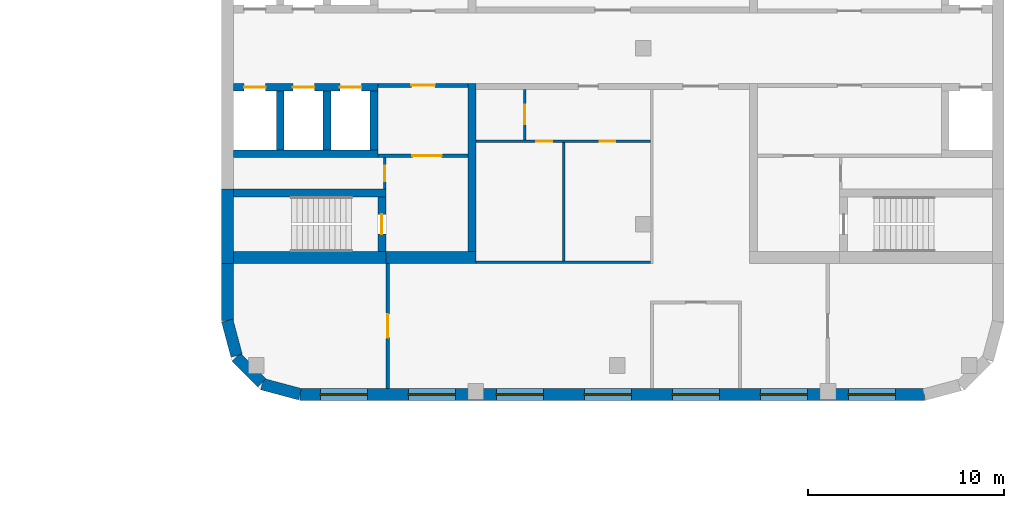
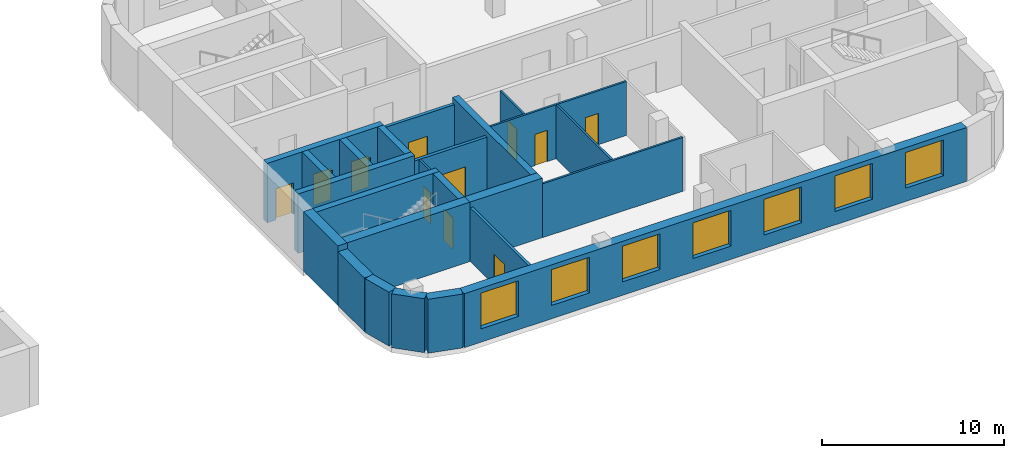
# One storey, part 7 of 12: 24 walls, 11 doors, 7 windows, 18 openings.
"""IFC4 building model written with IfcOpenShell, lengths in metres."""

from ifc_helpers import new_model, si_unit, direction, frame, frame_2d, origin, place, context, subcontext, project, spatial, rectangle, extrude, material, layer, layer_set, type_object, element, fill, save


model = new_model("IFC4")

# Units and contexts
model_context = context("Model", 3, precision=1e-05, world=origin(), true_north=direction((0.0, 1.0)))
body_context = subcontext(model_context, "Body", "Model", "MODEL_VIEW")
ifc_project = project(units=[si_unit("LENGTHUNIT", "METRE"), si_unit("AREAUNIT", "SQUARE_METRE"), si_unit("VOLUMEUNIT", "CUBIC_METRE"), si_unit("PLANEANGLEUNIT", "RADIAN"), si_unit("MASSUNIT", "GRAM", prefix="KILO")], contexts=[model_context])

# Site, building, storey
site_placement = place(None, origin())
site = spatial("IfcSite", under=ifc_project, at=site_placement, CompositionType="ELEMENT")
building_placement = place(site_placement, origin())
building = spatial("IfcBuilding", under=site, at=building_placement, Name="Skarvind Civic Tower", CompositionType="ELEMENT")
storey_placement = place(building_placement, frame((0.0, 0.0, 51.5)))
storey = spatial("IfcBuildingStorey", under=building, at=storey_placement, Name="L11", CompositionType="ELEMENT", Elevation=51.5)

# Wall, opening, door
ifc_material_1 = material(Name="Acoustic gypsum board on steel studs", Category="steel")
ifc_layer_1 = layer(ifc_material_1, 0.175048828125)
ifc_layer_set_1 = layer_set([ifc_layer_1], Name="ACOUSTIC MEETING-ROOM PARTITION 175")
wall_type_1 = type_object("IfcWallType", Name="ACOUSTIC MEETING-ROOM PARTITION 175", PredefinedType="PARTITIONING", material=ifc_layer_set_1)
wall_1_placement = place(storey_placement, frame((135.5, 117.0, 0.0), z_axis=(0.0, 0.0, 1.0), x_axis=(0.0, -1.0, 0.0)))
wall_1 = element("IfcWall", 1, at=wall_1_placement, inside=storey, type_object=wall_type_1, Name="Partition 11.001", PredefinedType="PARTITIONING", context=body_context, shape_type="SweptSolid", body=[
    extrude(rectangle(XDim=6.39990234375, YDim=0.175048828125, at=frame_2d((3.199951171875, 0.0))), origin(), (0.0, 0.0, 1.0), 3.625),
])
opening_1_placement = place(wall_1_placement, frame((2.60009765625, 0.0, 0.0)))
opening_1 = element("IfcOpeningElement", 2, at=opening_1_placement, cuts=wall_1, Name="Opening L11-D111", PredefinedType="OPENING", context=body_context, shape_type="SweptSolid", body=[
    extrude(rectangle(XDim=1.199951171875, YDim=2.10009765625, at=frame_2d((0.60009765625, 1.050048828125))), frame((0.0, 0.097412109375, 0.0), z_axis=(0.0, -1.0, 0.0), x_axis=(1.0, 0.0, 0.0)), (0.0, 0.0, 1.0), 0.195068359375),
])
ifc_material_2 = material(Name="Timber door leaf", Category="wood")
door_type_1 = type_object("IfcDoorType", Name="DOOR 1200X2100 DOUBLE TIMBER", OperationType="NOTDEFINED", PredefinedType="DOOR", material=ifc_material_2)
door_1_placement = place(opening_1_placement, origin())
door_1 = element("IfcDoor", 3, at=door_1_placement, inside=storey, type_object=door_type_1, Name="Door L11-D111", OperationType="DOUBLE_DOOR_SINGLE_SWING", OverallHeight=2.10009765625, OverallWidth=1.199951171875, PredefinedType="DOOR", context=body_context, shape_type="SweptSolid", body=[
    extrude(rectangle(XDim=1.199951171875, YDim=2.10009765625, at=frame_2d((0.60009765625, 1.050048828125))), frame((0.0, 0.02490234375, 0.0), z_axis=(0.0, -1.0, 0.0), x_axis=(1.0, 0.0, 0.0)), (0.0, 0.0, 1.0), 0.050048828125),
])
fill(opening_1, door_1)

ifc_material_3 = material(Name="Fire-rated masonry partition", Category="masonry")
ifc_layer_2 = layer(ifc_material_3, 0.199951171875)
ifc_layer_set_2 = layer_set([ifc_layer_2], Name="Core enclosure wall 200")
wall_type_2 = type_object("IfcWallType", Name="Core enclosure wall 200", PredefinedType="PARTITIONING", material=ifc_layer_set_2)
wall_2_placement = place(storey_placement, frame((139.60009765625, 126.10009765625, 0.0), z_axis=(0.0, 0.0, 1.0), x_axis=(-1.0, 0.0, 0.0)))
wall_2 = element("IfcWall", 4, at=wall_2_placement, inside=storey, type_object=wall_type_2, Name="Core wall CA", PredefinedType="PARTITIONING", context=body_context, shape_type="SweptSolid", body=[
    extrude(rectangle(XDim=4.60009765625, YDim=0.199951171875, at=frame_2d((2.300048828125, 0.0))), origin(), (0.0, 0.0, 1.0), 3.625),
])
opening_2_placement = place(wall_2_placement, frame((1.699951171875, 0.0, 0.0)))
opening_2 = element("IfcOpeningElement", 5, at=opening_2_placement, cuts=wall_2, Name="Opening D-L11-CA-10", PredefinedType="OPENING", context=body_context, shape_type="SweptSolid", body=[
    extrude(rectangle(XDim=1.199951171875, YDim=2.10009765625, at=frame_2d((0.60009765625, 1.050048828125))), frame((0.0, 0.10986328125, 0.0), z_axis=(0.0, -1.0, 0.0), x_axis=(1.0, 0.0, 0.0)), (0.0, 0.0, 1.0), 0.219970703125),
])
ifc_material_4 = material(Name="Fire-rated steel door", Category="steel")
door_type_2 = type_object("IfcDoorType", Name="Core lobby door 1200", OperationType="NOTDEFINED", PredefinedType="DOOR", material=ifc_material_4)
door_2_placement = place(opening_2_placement, origin())
door_2 = element("IfcDoor", 6, at=door_2_placement, inside=storey, type_object=door_type_2, Name="Fire door", OperationType="DOUBLE_DOOR_SINGLE_SWING", OverallHeight=2.10009765625, OverallWidth=1.199951171875, PredefinedType="DOOR", context=body_context, shape_type="SweptSolid", body=[
    extrude(rectangle(XDim=1.199951171875, YDim=2.10009765625, at=frame_2d((0.60009765625, 1.050048828125))), frame((0.0, 0.02490234375, 0.0), z_axis=(0.0, -1.0, 0.0), x_axis=(1.0, 0.0, 0.0)), (0.0, 0.0, 1.0), 0.050048828125),
])
fill(opening_2, door_2)

wall_3_placement = place(storey_placement, frame((139.60009765625, 122.5, 0.0), z_axis=(0.0, 0.0, 1.0), x_axis=(-1.0, 0.0, 0.0)))
wall_3 = element("IfcWall", 7, at=wall_3_placement, inside=storey, type_object=wall_type_2, Name="Core wall CA", PredefinedType="PARTITIONING", context=body_context, shape_type="SweptSolid", body=[
    extrude(rectangle(XDim=4.60009765625, YDim=0.199951171875, at=frame_2d((2.300048828125, 0.0))), origin(), (0.0, 0.0, 1.0), 3.625),
])
opening_3_placement = place(wall_3_placement, frame((1.35009765625, 0.0, 0.0)))
opening_3 = element("IfcOpeningElement", 8, at=opening_3_placement, cuts=wall_3, Name="Opening D-L11-CA-11", PredefinedType="OPENING", context=body_context, shape_type="SweptSolid", body=[
    extrude(rectangle(XDim=1.5, YDim=2.10009765625, at=frame_2d((0.75, 1.050048828125))), frame((0.0, 0.10986328125, 0.0), z_axis=(0.0, -1.0, 0.0), x_axis=(1.0, 0.0, 0.0)), (0.0, 0.0, 1.0), 0.219970703125),
])
door_type_3 = type_object("IfcDoorType", Name="Fire door 1500", OperationType="NOTDEFINED", PredefinedType="DOOR", material=ifc_material_4)
door_3_placement = place(opening_3_placement, origin())
door_3 = element("IfcDoor", 9, at=door_3_placement, inside=storey, type_object=door_type_3, Name="Fire door", OperationType="DOUBLE_DOOR_SINGLE_SWING", OverallHeight=2.10009765625, OverallWidth=1.5, PredefinedType="DOOR", context=body_context, shape_type="SweptSolid", body=[
    extrude(rectangle(XDim=1.5, YDim=2.10009765625, at=frame_2d((0.75, 1.050048828125))), frame((0.0, 0.02490234375, 0.0), z_axis=(0.0, -1.0, 0.0), x_axis=(1.0, 0.0, 0.0)), (0.0, 0.0, 1.0), 0.050048828125),
])
fill(opening_3, door_3)

# Wall
ifc_material_5 = material(Name="Concrete C80", Category="concrete")
ifc_layer_3 = layer(ifc_material_5, 0.39990234375)
ifc_layer_set_3 = layer_set([ifc_layer_3], Name="Core wall 400 C80")
wall_type_3 = type_object("IfcWallType", Name="Core wall 400 C80", PredefinedType="SHEAR", material=ifc_layer_set_3)
wall_4_placement = place(storey_placement, frame((127.60009765625, 120.60009765625, 0.0), z_axis=(0.0, 0.0, 1.0), x_axis=(1.0, 0.0, 0.0)))
element("IfcWall", 10, at=wall_4_placement, inside=storey, type_object=wall_type_3, Name="Core wall CA south stair inner L11", PredefinedType="SHEAR", context=body_context, shape_type="SweptSolid", body=[
    extrude(rectangle(XDim=7.7998046875, YDim=0.39990234375, at=frame_2d((3.89990234375, 0.0))), origin(), (0.0, 0.0, 1.0), 4.0),
])

# Wall, opening, door
wall_5_placement = place(storey_placement, frame((135.199951171875, 117.60009765625, 0.0), z_axis=(0.0, 0.0, 1.0), x_axis=(0.0, 1.0, 0.0)))
wall_5 = element("IfcWall", 11, at=wall_5_placement, inside=storey, type_object=wall_type_3, Name="Core wall CA south stair end L11", PredefinedType="SHEAR", context=body_context, shape_type="SweptSolid", body=[
    extrude(rectangle(XDim=2.7998046875, YDim=0.39990234375, at=frame_2d((1.39990234375, 0.0))), origin(), (0.0, 0.0, 1.0), 4.0),
])
opening_4_placement = place(wall_5_placement, frame((0.89990234375, 0.0, 0.0)))
opening_4 = element("IfcOpeningElement", 12, at=opening_4_placement, cuts=wall_5, Name="Opening D-L11-CA-12", PredefinedType="OPENING", context=body_context, shape_type="SweptSolid", body=[
    extrude(rectangle(XDim=1.0, YDim=2.10009765625, at=frame_2d((0.5, 1.050048828125))), frame((0.0, 0.2099609375, 0.0), z_axis=(0.0, -1.0, 0.0), x_axis=(1.0, 0.0, 0.0)), (0.0, 0.0, 1.0), 0.419921875),
])
door_type_4 = type_object("IfcDoorType", Name="Fire door 1000", OperationType="NOTDEFINED", PredefinedType="DOOR", material=ifc_material_4)
door_4_placement = place(opening_4_placement, origin())
door_4 = element("IfcDoor", 13, at=door_4_placement, inside=storey, type_object=door_type_4, Name="Fire door", OperationType="SINGLE_SWING_RIGHT", OverallHeight=2.10009765625, OverallWidth=1.0, PredefinedType="DOOR", context=body_context, shape_type="SweptSolid", body=[
    extrude(rectangle(XDim=1.0, YDim=2.10009765625, at=frame_2d((0.5, 1.050048828125))), frame((0.0, 0.02490234375, 0.0), z_axis=(0.0, -1.0, 0.0), x_axis=(1.0, 0.0, 0.0)), (0.0, 0.0, 1.0), 0.050048828125),
])
fill(opening_4, door_4)

# Wall, openings, doors
wall_6_placement = place(storey_placement, frame((127.60009765625, 126.0, 0.0), z_axis=(0.0, 0.0, 1.0), x_axis=(1.0, 0.0, 0.0)))
wall_6 = element("IfcWall", 14, at=wall_6_placement, inside=storey, type_object=wall_type_3, Name="Core wall CA south lift row front L11", PredefinedType="SHEAR", context=body_context, shape_type="SweptSolid", body=[
    extrude(rectangle(XDim=7.39990234375, YDim=0.39990234375, at=frame_2d((3.699951171875, 0.0))), origin(), (0.0, 0.0, 1.0), 4.0),
])
opening_5_placement = place(wall_6_placement, frame((0.550048828125, 0.0, 0.0)))
opening_5 = element("IfcOpeningElement", 15, at=opening_5_placement, cuts=wall_6, Name="Opening LD13304", PredefinedType="OPENING", context=body_context, shape_type="SweptSolid", body=[
    extrude(rectangle(XDim=1.10009765625, YDim=2.10009765625, at=frame_2d((0.550048828125, 1.050048828125))), frame((0.0, 0.2099609375, 0.0), z_axis=(0.0, -1.0, 0.0), x_axis=(1.0, 0.0, 0.0)), (0.0, 0.0, 1.0), 0.419921875),
])
opening_6_placement = place(wall_6_placement, frame((3.050048828125, 0.0, 0.0)))
opening_6 = element("IfcOpeningElement", 16, at=opening_6_placement, cuts=wall_6, Name="Opening LD13305", PredefinedType="OPENING", context=body_context, shape_type="SweptSolid", body=[
    extrude(rectangle(XDim=1.10009765625, YDim=2.10009765625, at=frame_2d((0.550048828125, 1.050048828125))), frame((0.0, 0.2099609375, 0.0), z_axis=(0.0, -1.0, 0.0), x_axis=(1.0, 0.0, 0.0)), (0.0, 0.0, 1.0), 0.419921875),
])
opening_7_placement = place(wall_6_placement, frame((5.449951171875, 0.0, 0.0)))
opening_7 = element("IfcOpeningElement", 17, at=opening_7_placement, cuts=wall_6, Name="Opening LD13306", PredefinedType="OPENING", context=body_context, shape_type="SweptSolid", body=[
    extrude(rectangle(XDim=1.10009765625, YDim=2.10009765625, at=frame_2d((0.550048828125, 1.050048828125))), frame((0.0, 0.2099609375, 0.0), z_axis=(0.0, -1.0, 0.0), x_axis=(1.0, 0.0, 0.0)), (0.0, 0.0, 1.0), 0.419921875),
])
ifc_material_6 = material(Name="Stainless steel landing door", Category="steel")
door_type_5 = type_object("IfcDoorType", Name="Lift landing door 1100", OperationType="DOUBLE_DOOR_SLIDING", PredefinedType="DOOR", material=ifc_material_6)
door_5_placement = place(opening_5_placement, origin())
door_5 = element("IfcDoor", 18, at=door_5_placement, inside=storey, type_object=door_type_5, Name="Lift landing door", OperationType="DOUBLE_DOOR_SLIDING", OverallHeight=2.10009765625, OverallWidth=1.10009765625, PredefinedType="DOOR", context=body_context, shape_type="SweptSolid", body=[
    extrude(rectangle(XDim=1.10009765625, YDim=2.10009765625, at=frame_2d((0.550048828125, 1.050048828125))), frame((0.0, 0.02490234375, 0.0), z_axis=(0.0, -1.0, 0.0), x_axis=(1.0, 0.0, 0.0)), (0.0, 0.0, 1.0), 0.050048828125),
])
fill(opening_5, door_5)
door_6_placement = place(opening_6_placement, origin())
door_6 = element("IfcDoor", 19, at=door_6_placement, inside=storey, type_object=door_type_5, Name="Lift landing door", OperationType="DOUBLE_DOOR_SLIDING", OverallHeight=2.10009765625, OverallWidth=1.10009765625, PredefinedType="DOOR", context=body_context, shape_type="SweptSolid", body=[
    extrude(rectangle(XDim=1.10009765625, YDim=2.10009765625, at=frame_2d((0.550048828125, 1.050048828125))), frame((0.0, 0.02490234375, 0.0), z_axis=(0.0, -1.0, 0.0), x_axis=(1.0, 0.0, 0.0)), (0.0, 0.0, 1.0), 0.050048828125),
])
fill(opening_6, door_6)
door_7_placement = place(opening_7_placement, origin())
door_7 = element("IfcDoor", 20, at=door_7_placement, inside=storey, type_object=door_type_5, Name="Lift landing door", OperationType="DOUBLE_DOOR_SLIDING", OverallHeight=2.10009765625, OverallWidth=1.10009765625, PredefinedType="DOOR", context=body_context, shape_type="SweptSolid", body=[
    extrude(rectangle(XDim=1.10009765625, YDim=2.10009765625, at=frame_2d((0.550048828125, 1.050048828125))), frame((0.0, 0.02490234375, 0.0), z_axis=(0.0, -1.0, 0.0), x_axis=(1.0, 0.0, 0.0)), (0.0, 0.0, 1.0), 0.050048828125),
])
fill(opening_7, door_7)

# Walls
wall_7_placement = place(storey_placement, frame((127.60009765625, 122.60009765625, 0.0), z_axis=(0.0, 0.0, 1.0), x_axis=(1.0, 0.0, 0.0)))
element("IfcWall", 21, at=wall_7_placement, inside=storey, type_object=wall_type_3, Name="Core wall CA south lift row back L11", PredefinedType="SHEAR", context=body_context, shape_type="SweptSolid", body=[
    extrude(rectangle(XDim=7.39990234375, YDim=0.39990234375, at=frame_2d((3.699951171875, 0.0))), origin(), (0.0, 0.0, 1.0), 4.0),
])
for number, where, z_axis, x_axis, name in (
    (22, (130.0, 122.800048828125, 0.0), (0.0, 0.0, 1.0), (0.0, 1.0, 0.0), "Core wall CA south lift row division 1 L11"),
    (23, (132.39990234375, 122.800048828125, 0.0), (0.0, 0.0, 1.0), (0.0, 1.0, 0.0), "Core wall CA south lift row division 2 L11"),
    (24, (134.800048828125, 122.800048828125, 0.0), (0.0, 0.0, 1.0), (0.0, 1.0, 0.0), "Core wall CA south lift row division 3 L11"),
):
    element("IfcWall", number, at=place(storey_placement, frame(where, z_axis=z_axis, x_axis=x_axis)), inside=storey, type_object=wall_type_3, Name=name, PredefinedType="SHEAR", context=body_context, shape_type="SweptSolid", body=[
        extrude(rectangle(XDim=3.0, YDim=0.39990234375, at=frame_2d((1.5, 0.0))), origin(), (0.0, 0.0, 1.0), 4.0),
    ])
wall_8_placement = place(storey_placement, frame((139.800048828125, 117.60009765625, 0.0), z_axis=(0.0, 0.0, 1.0), x_axis=(0.0, 1.0, 0.0)))
element("IfcWall", 25, at=wall_8_placement, inside=storey, type_object=wall_type_3, Name="Core wall CA south inner face L11", PredefinedType="SHEAR", context=body_context, shape_type="SweptSolid", body=[
    extrude(rectangle(XDim=8.599853515625, YDim=0.39990234375, at=frame_2d((4.2998046875, 0.0))), origin(), (0.0, 0.0, 1.0), 4.0),
])
ifc_layer_4 = layer(ifc_material_5, 0.60009765625)
ifc_layer_set_4 = layer_set([ifc_layer_4], Name="Core wall 600 C80")
wall_type_4 = type_object("IfcWallType", Name="Core wall 600 C80", PredefinedType="SHEAR", material=ifc_layer_set_4)
wall_9_placement = place(storey_placement, frame((127.300048828125, 117.0, 0.0), z_axis=(0.0, 0.0, 1.0), x_axis=(0.0, 1.0, 0.0)))
element("IfcWall", 26, at=wall_9_placement, inside=storey, type_object=wall_type_4, Name="Core wall CA tip at the south stair L11", PredefinedType="SHEAR", context=body_context, shape_type="SweptSolid", body=[
    extrude(rectangle(XDim=3.800048828125, YDim=0.60009765625, at=frame_2d((1.89990234375, 0.0))), origin(), (0.0, 0.0, 1.0), 4.0),
])
wall_10_placement = place(storey_placement, frame((127.60009765625, 117.300048828125, 0.0), z_axis=(0.0, 0.0, 1.0), x_axis=(1.0, 0.0, 0.0)))
element("IfcWall", 27, at=wall_10_placement, inside=storey, type_object=wall_type_4, Name="Core wall CA south side at the stair L11", PredefinedType="SHEAR", context=body_context, shape_type="SweptSolid", body=[
    extrude(rectangle(XDim=7.7998046875, YDim=0.60009765625, at=frame_2d((3.89990234375, 0.0))), origin(), (0.0, 0.0, 1.0), 4.0),
])
wall_11_placement = place(storey_placement, frame((135.39990234375, 117.300048828125, 0.0), z_axis=(0.0, 0.0, 1.0), x_axis=(1.0, 0.0, 0.0)))
element("IfcWall", 28, at=wall_11_placement, inside=storey, type_object=wall_type_4, Name="Core wall CA south side L11", PredefinedType="SHEAR", context=body_context, shape_type="SweptSolid", body=[
    extrude(rectangle(XDim=4.60009765625, YDim=0.60009765625, at=frame_2d((2.300048828125, 0.0))), origin(), (0.0, 0.0, 1.0), 4.0),
])

# Wall, opening, door
ifc_layer_5 = layer(ifc_material_3, 0.125)
ifc_layer_set_5 = layer_set([ifc_layer_5], Name="Riser wall 125")
wall_type_5 = type_object("IfcWallType", Name="Riser wall 125", PredefinedType="PARTITIONING", material=ifc_layer_set_5)
wall_12_placement = place(storey_placement, frame((135.33740234375, 122.39990234375, 0.0), z_axis=(0.0, 0.0, 1.0), x_axis=(0.0, -1.0, 0.0)))
wall_12 = element("IfcWall", 29, at=wall_12_placement, inside=storey, type_object=wall_type_5, Name="Core wall CA", PredefinedType="PARTITIONING", context=body_context, shape_type="SweptSolid", body=[
    extrude(rectangle(XDim=1.599853515625, YDim=0.125, at=frame_2d((0.7998046875, 0.0))), origin(), (0.0, 0.0, 1.0), 3.625),
])
opening_8_placement = place(wall_12_placement, frame((0.39990234375, 0.0, 0.0)))
opening_8 = element("IfcOpeningElement", 30, at=opening_8_placement, cuts=wall_12, Name="Opening D-L11-CA-13", PredefinedType="OPENING", context=body_context, shape_type="SweptSolid", body=[
    extrude(rectangle(XDim=0.800048828125, YDim=2.10009765625, at=frame_2d((0.39990234375, 1.050048828125))), frame((0.0, 0.072509765625, 0.0), z_axis=(0.0, -1.0, 0.0), x_axis=(1.0, 0.0, 0.0)), (0.0, 0.0, 1.0), 0.14501953125),
])
door_type_6 = type_object("IfcDoorType", Name="Core riser door 800", OperationType="NOTDEFINED", PredefinedType="DOOR", material=ifc_material_4)
door_8_placement = place(opening_8_placement, origin())
door_8 = element("IfcDoor", 31, at=door_8_placement, inside=storey, type_object=door_type_6, Name="Riser door", OperationType="SINGLE_SWING_LEFT", OverallHeight=2.10009765625, OverallWidth=0.800048828125, PredefinedType="DOOR", context=body_context, shape_type="SweptSolid", body=[
    extrude(rectangle(XDim=0.800048828125, YDim=2.10009765625, at=frame_2d((0.39990234375, 1.050048828125))), frame((0.0, 0.02490234375, 0.0), z_axis=(0.0, -1.0, 0.0), x_axis=(1.0, 0.0, 0.0)), (0.0, 0.0, 1.0), 0.050048828125),
])
fill(opening_8, door_8)

# Wall
ifc_material_7 = material(Name="Moisture-resistant gypsum board on steel studs", Category="steel")
ifc_layer_6 = layer(ifc_material_7, 0.125)
ifc_layer_set_6 = layer_set([ifc_layer_6], Name="WC PARTITION 125")
wall_type_6 = type_object("IfcWallType", Name="WC PARTITION 125", PredefinedType="PARTITIONING", material=ifc_layer_set_6)
wall_13_placement = place(storey_placement, frame((140.0, 117.050048828125, 0.0), z_axis=(0.0, 0.0, 1.0), x_axis=(1.0, 0.0, 0.0)))
element("IfcWall", 32, at=wall_13_placement, inside=storey, type_object=wall_type_6, Name="Partition 11.003", PredefinedType="PARTITIONING", context=body_context, shape_type="SweptSolid", body=[
    extrude(rectangle(XDim=8.93798828125, YDim=0.125, at=frame_2d((4.468994140625, 0.0))), origin(), (0.0, 0.0, 1.0), 3.625),
])

# Wall, openings, doors
wall_14_placement = place(storey_placement, frame((148.93798828125, 123.25, 0.0), z_axis=(0.0, 0.0, 1.0), x_axis=(-1.0, 0.0, 0.0)))
wall_14 = element("IfcWall", 33, at=wall_14_placement, inside=storey, type_object=wall_type_6, Name="Partition 11.004", PredefinedType="PARTITIONING", context=body_context, shape_type="SweptSolid", body=[
    extrude(rectangle(XDim=8.93798828125, YDim=0.125, at=frame_2d((4.468994140625, 0.0))), origin(), (0.0, 0.0, 1.0), 3.625),
])
opening_9_placement = place(wall_14_placement, frame((1.80908203125, 0.0, 0.0)))
opening_9 = element("IfcOpeningElement", 34, at=opening_9_placement, cuts=wall_14, Name="Opening L11-D107", PredefinedType="OPENING", context=body_context, shape_type="SweptSolid", body=[
    extrude(rectangle(XDim=0.800048828125, YDim=2.10009765625, at=frame_2d((0.39990234375, 1.050048828125))), frame((0.0, 0.072509765625, 0.0), z_axis=(0.0, -1.0, 0.0), x_axis=(1.0, 0.0, 0.0)), (0.0, 0.0, 1.0), 0.14501953125),
])
opening_10_placement = place(wall_14_placement, frame((5.03955078125, 0.0, 0.0)))
opening_10 = element("IfcOpeningElement", 35, at=opening_10_placement, cuts=wall_14, Name="Opening L11-D108", PredefinedType="OPENING", context=body_context, shape_type="SweptSolid", body=[
    extrude(rectangle(XDim=0.800048828125, YDim=2.10009765625, at=frame_2d((0.39990234375, 1.050048828125))), frame((0.0, 0.072509765625, 0.0), z_axis=(0.0, -1.0, 0.0), x_axis=(1.0, 0.0, 0.0)), (0.0, 0.0, 1.0), 0.14501953125),
])
door_type_7 = type_object("IfcDoorType", Name="DOOR 800X2100 TIMBER", OperationType="NOTDEFINED", PredefinedType="DOOR", material=ifc_material_2)
door_9_placement = place(opening_9_placement, origin())
door_9 = element("IfcDoor", 36, at=door_9_placement, inside=storey, type_object=door_type_7, Name="Door L11-D107", OperationType="SINGLE_SWING_LEFT", OverallHeight=2.10009765625, OverallWidth=0.800048828125, PredefinedType="DOOR", context=body_context, shape_type="SweptSolid", body=[
    extrude(rectangle(XDim=0.800048828125, YDim=2.10009765625, at=frame_2d((0.39990234375, 1.050048828125))), frame((0.0, 0.02490234375, 0.0), z_axis=(0.0, -1.0, 0.0), x_axis=(1.0, 0.0, 0.0)), (0.0, 0.0, 1.0), 0.050048828125),
])
fill(opening_9, door_9)
door_10_placement = place(opening_10_placement, origin())
door_10 = element("IfcDoor", 37, at=door_10_placement, inside=storey, type_object=door_type_7, Name="Door L11-D108", OperationType="SINGLE_SWING_LEFT", OverallHeight=2.10009765625, OverallWidth=0.800048828125, PredefinedType="DOOR", context=body_context, shape_type="SweptSolid", body=[
    extrude(rectangle(XDim=0.800048828125, YDim=2.10009765625, at=frame_2d((0.39990234375, 1.050048828125))), frame((0.0, 0.02490234375, 0.0), z_axis=(0.0, -1.0, 0.0), x_axis=(1.0, 0.0, 0.0)), (0.0, 0.0, 1.0), 0.050048828125),
])
fill(opening_10, door_10)

# Wall, opening, door
wall_15_placement = place(storey_placement, frame((142.5, 123.31201171875, 0.0), z_axis=(0.0, 0.0, 1.0), x_axis=(0.0, 1.0, 0.0)))
wall_15 = element("IfcWall", 38, at=wall_15_placement, inside=storey, type_object=wall_type_6, Name="Partition 11.006", PredefinedType="PARTITIONING", context=body_context, shape_type="SweptSolid", body=[
    extrude(rectangle(XDim=2.587890625, YDim=0.125, at=frame_2d((1.2939453125, 0.0))), origin(), (0.0, 0.0, 1.0), 3.625),
])
opening_11_placement = place(wall_15_placement, frame((0.7939453125, 0.0, 0.0)))
opening_11 = element("IfcOpeningElement", 39, at=opening_11_placement, cuts=wall_15, Name="Opening L11-D106", PredefinedType="OPENING", context=body_context, shape_type="SweptSolid", body=[
    extrude(rectangle(XDim=1.0, YDim=2.10009765625, at=frame_2d((0.5, 1.050048828125))), frame((0.0, 0.072509765625, 0.0), z_axis=(0.0, -1.0, 0.0), x_axis=(1.0, 0.0, 0.0)), (0.0, 0.0, 1.0), 0.14501953125),
])
door_type_8 = type_object("IfcDoorType", Name="D1 1000x2100", OperationType="NOTDEFINED", PredefinedType="DOOR", material=ifc_material_2)
door_11_placement = place(opening_11_placement, origin())
door_11 = element("IfcDoor", 40, at=door_11_placement, inside=storey, type_object=door_type_8, Name="Door L11-D106", OperationType="SINGLE_SWING_RIGHT", OverallHeight=2.10009765625, OverallWidth=1.0, PredefinedType="DOOR", context=body_context, shape_type="SweptSolid", body=[
    extrude(rectangle(XDim=1.0, YDim=2.10009765625, at=frame_2d((0.5, 1.050048828125))), frame((0.0, 0.02490234375, 0.0), z_axis=(0.0, -1.0, 0.0), x_axis=(1.0, 0.0, 0.0)), (0.0, 0.0, 1.0), 0.050048828125),
])
fill(opening_11, door_11)

# Walls
wall_16_placement = place(storey_placement, frame((144.5, 123.18798828125, 0.0), z_axis=(0.0, 0.0, 1.0), x_axis=(0.0, -1.0, 0.0)))
element("IfcWall", 41, at=wall_16_placement, inside=storey, type_object=wall_type_6, Name="Partition 11.007", PredefinedType="PARTITIONING", context=body_context, shape_type="SweptSolid", body=[
    extrude(rectangle(XDim=6.075927734375, YDim=0.125, at=frame_2d((3.0380859375, 0.0))), origin(), (0.0, 0.0, 1.0), 3.625),
])
ifc_material_8 = material(Name="Limestone masonry cladding on insulated backing", Category="masonry")
ifc_layer_7 = layer(ifc_material_8, 0.60009765625)
ifc_layer_set_7 = layer_set([ifc_layer_7], Name="WX1 STONE FACADE WALL 600")
wall_type_7 = type_object("IfcWallType", Name="WX1 STONE FACADE WALL 600", PredefinedType="SOLIDWALL", material=ifc_layer_set_7)
wall_17_placement = place(storey_placement, frame((127.300048828125, 114.070068359375, 0.0), z_axis=(0.0, 0.0, 1.0), x_axis=(0.0, 1.0, 0.0)))
element("IfcWall", 42, at=wall_17_placement, inside=storey, type_object=wall_type_7, Name="STONE FACADE WALL", PredefinedType="SOLIDWALL", context=body_context, shape_type="SweptSolid", body=[
    extrude(rectangle(XDim=2.909912109375, YDim=0.60009765625, at=frame_2d((1.455078125, 0.0))), origin(), (0.0, 0.0, 1.0), 3.625),
])
for number, where, z_axis, x_axis, name in (
    (43, (127.771240234375, 112.280517578125, 0.0), (0.0, 0.0, 1.0), (-0.258773254036, 0.965938094805, 0.0), "STONE FACADE WALL"),
    (44, (129.063720703125, 110.896484375, 0.0), (0.0, 0.0, 1.0), (-0.707106781187, 0.707106781187, 0.0), "STONE FACADE WALL"),
):
    element("IfcWall", number, at=place(storey_placement, frame(where, z_axis=z_axis, x_axis=x_axis)), inside=storey, type_object=wall_type_7, Name=name, PredefinedType="SOLIDWALL", context=body_context, shape_type="SweptSolid", body=[
        extrude(rectangle(XDim=1.860595703125, YDim=0.60009765625, at=frame_2d((0.93017578125, 0.0))), origin(), (0.0, 0.0, 1.0), 3.625),
    ])
wall_18_placement = place(storey_placement, frame((131.010009765625, 110.307861328125, 0.0), z_axis=(0.0, 0.0, 1.0), x_axis=(-0.965920269068, 0.258839784042, 0.0)))
element("IfcWall", 45, at=wall_18_placement, inside=storey, type_object=wall_type_7, Name="STONE FACADE WALL", PredefinedType="SOLIDWALL", context=body_context, shape_type="SweptSolid", body=[
    extrude(rectangle(XDim=2.00048828125, YDim=0.60009765625, at=frame_2d((1.000244140625, 0.0))), origin(), (0.0, 0.0, 1.0), 3.625),
])

# Wall, openings, windows
wall_19_placement = place(storey_placement, frame((162.929931640625, 110.300048828125, 0.0), z_axis=(0.0, 0.0, 1.0), x_axis=(-1.0, 0.0, 0.0)))
wall_19 = element("IfcWall", 46, at=wall_19_placement, inside=storey, type_object=wall_type_7, Name="STONE FACADE WALL", PredefinedType="SOLIDWALL", context=body_context, shape_type="SweptSolid", body=[
    extrude(rectangle(XDim=31.929931640625, YDim=0.60009765625, at=frame_2d((15.96484375, 0.0))), origin(), (0.0, 0.0, 1.0), 3.625),
])
opening_12_placement = place(wall_19_placement, frame((1.47998046875, 0.0, 0.89990234375)))
opening_12 = element("IfcOpeningElement", 47, at=opening_12_placement, cuts=wall_19, Name="Opening WN9", PredefinedType="OPENING", context=body_context, shape_type="SweptSolid", body=[
    extrude(rectangle(XDim=2.39990234375, YDim=2.39990234375, at=frame_2d((1.199951171875, 1.199951171875))), frame((0.0, 0.31005859375, 0.0), z_axis=(0.0, -1.0, 0.0), x_axis=(1.0, 0.0, 0.0)), (0.0, 0.0, 1.0), 0.6201171875),
])
opening_13_placement = place(wall_19_placement, frame((5.97998046875, 0.0, 0.89990234375)))
opening_13 = element("IfcOpeningElement", 48, at=opening_13_placement, cuts=wall_19, Name="Opening WN9", PredefinedType="OPENING", context=body_context, shape_type="SweptSolid", body=[
    extrude(rectangle(XDim=2.39990234375, YDim=2.39990234375, at=frame_2d((1.199951171875, 1.199951171875))), frame((0.0, 0.31005859375, 0.0), z_axis=(0.0, -1.0, 0.0), x_axis=(1.0, 0.0, 0.0)), (0.0, 0.0, 1.0), 0.6201171875),
])
opening_14_placement = place(wall_19_placement, frame((10.47998046875, 0.0, 0.89990234375)))
opening_14 = element("IfcOpeningElement", 49, at=opening_14_placement, cuts=wall_19, Name="Opening WN9", PredefinedType="OPENING", context=body_context, shape_type="SweptSolid", body=[
    extrude(rectangle(XDim=2.39990234375, YDim=2.39990234375, at=frame_2d((1.199951171875, 1.199951171875))), frame((0.0, 0.31005859375, 0.0), z_axis=(0.0, -1.0, 0.0), x_axis=(1.0, 0.0, 0.0)), (0.0, 0.0, 1.0), 0.6201171875),
])
opening_15_placement = place(wall_19_placement, frame((14.97998046875, 0.0, 0.89990234375)))
opening_15 = element("IfcOpeningElement", 50, at=opening_15_placement, cuts=wall_19, Name="Opening WN9", PredefinedType="OPENING", context=body_context, shape_type="SweptSolid", body=[
    extrude(rectangle(XDim=2.39990234375, YDim=2.39990234375, at=frame_2d((1.199951171875, 1.199951171875))), frame((0.0, 0.31005859375, 0.0), z_axis=(0.0, -1.0, 0.0), x_axis=(1.0, 0.0, 0.0)), (0.0, 0.0, 1.0), 0.6201171875),
])
opening_16_placement = place(wall_19_placement, frame((19.47998046875, 0.0, 0.89990234375)))
opening_16 = element("IfcOpeningElement", 51, at=opening_16_placement, cuts=wall_19, Name="Opening WN9", PredefinedType="OPENING", context=body_context, shape_type="SweptSolid", body=[
    extrude(rectangle(XDim=2.39990234375, YDim=2.39990234375, at=frame_2d((1.199951171875, 1.199951171875))), frame((0.0, 0.31005859375, 0.0), z_axis=(0.0, -1.0, 0.0), x_axis=(1.0, 0.0, 0.0)), (0.0, 0.0, 1.0), 0.6201171875),
])
opening_17_placement = place(wall_19_placement, frame((23.97998046875, 0.0, 0.89990234375)))
opening_17 = element("IfcOpeningElement", 52, at=opening_17_placement, cuts=wall_19, Name="Opening WN9", PredefinedType="OPENING", context=body_context, shape_type="SweptSolid", body=[
    extrude(rectangle(XDim=2.39990234375, YDim=2.39990234375, at=frame_2d((1.199951171875, 1.199951171875))), frame((0.0, 0.31005859375, 0.0), z_axis=(0.0, -1.0, 0.0), x_axis=(1.0, 0.0, 0.0)), (0.0, 0.0, 1.0), 0.6201171875),
])
opening_18_placement = place(wall_19_placement, frame((28.47998046875, 0.0, 0.89990234375)))
opening_18 = element("IfcOpeningElement", 53, at=opening_18_placement, cuts=wall_19, Name="Opening WN9", PredefinedType="OPENING", context=body_context, shape_type="SweptSolid", body=[
    extrude(rectangle(XDim=2.39990234375, YDim=2.39990234375, at=frame_2d((1.199951171875, 1.199951171875))), frame((0.0, 0.31005859375, 0.0), z_axis=(0.0, -1.0, 0.0), x_axis=(1.0, 0.0, 0.0)), (0.0, 0.0, 1.0), 0.6201171875),
])
ifc_material_9 = material(Name="Timber frame, double glazing, timber-lined reveal", Category="wood")
window_type = type_object("IfcWindowType", Name="WN9 COMPANION TOWER WINDOW 2400 x 2400", PartitioningType="SINGLE_PANEL", PredefinedType="WINDOW", material=ifc_material_9)
window_1_placement = place(opening_12_placement, origin())
window_1 = element("IfcWindow", 54, at=window_1_placement, inside=storey, type_object=window_type, Name="WN9 WINDOW", OverallHeight=2.39990234375, OverallWidth=2.39990234375, PartitioningType="SINGLE_PANEL", PredefinedType="WINDOW", context=body_context, shape_type="SweptSolid", body=[
    extrude(rectangle(XDim=2.39990234375, YDim=2.39990234375, at=frame_2d((1.199951171875, 1.199951171875))), frame((0.0, 0.030029296875, 0.0), z_axis=(0.0, -1.0, 0.0), x_axis=(1.0, 0.0, 0.0)), (0.0, 0.0, 1.0), 0.06005859375),
])
fill(opening_12, window_1)
window_2_placement = place(opening_13_placement, origin())
window_2 = element("IfcWindow", 55, at=window_2_placement, inside=storey, type_object=window_type, Name="WN9 WINDOW", OverallHeight=2.39990234375, OverallWidth=2.39990234375, PartitioningType="SINGLE_PANEL", PredefinedType="WINDOW", context=body_context, shape_type="SweptSolid", body=[
    extrude(rectangle(XDim=2.39990234375, YDim=2.39990234375, at=frame_2d((1.199951171875, 1.199951171875))), frame((0.0, 0.030029296875, 0.0), z_axis=(0.0, -1.0, 0.0), x_axis=(1.0, 0.0, 0.0)), (0.0, 0.0, 1.0), 0.06005859375),
])
fill(opening_13, window_2)
window_3_placement = place(opening_14_placement, origin())
window_3 = element("IfcWindow", 56, at=window_3_placement, inside=storey, type_object=window_type, Name="WN9 WINDOW", OverallHeight=2.39990234375, OverallWidth=2.39990234375, PartitioningType="SINGLE_PANEL", PredefinedType="WINDOW", context=body_context, shape_type="SweptSolid", body=[
    extrude(rectangle(XDim=2.39990234375, YDim=2.39990234375, at=frame_2d((1.199951171875, 1.199951171875))), frame((0.0, 0.030029296875, 0.0), z_axis=(0.0, -1.0, 0.0), x_axis=(1.0, 0.0, 0.0)), (0.0, 0.0, 1.0), 0.06005859375),
])
fill(opening_14, window_3)
window_4_placement = place(opening_15_placement, origin())
window_4 = element("IfcWindow", 57, at=window_4_placement, inside=storey, type_object=window_type, Name="WN9 WINDOW", OverallHeight=2.39990234375, OverallWidth=2.39990234375, PartitioningType="SINGLE_PANEL", PredefinedType="WINDOW", context=body_context, shape_type="SweptSolid", body=[
    extrude(rectangle(XDim=2.39990234375, YDim=2.39990234375, at=frame_2d((1.199951171875, 1.199951171875))), frame((0.0, 0.030029296875, 0.0), z_axis=(0.0, -1.0, 0.0), x_axis=(1.0, 0.0, 0.0)), (0.0, 0.0, 1.0), 0.06005859375),
])
fill(opening_15, window_4)
window_5_placement = place(opening_16_placement, origin())
window_5 = element("IfcWindow", 58, at=window_5_placement, inside=storey, type_object=window_type, Name="WN9 WINDOW", OverallHeight=2.39990234375, OverallWidth=2.39990234375, PartitioningType="SINGLE_PANEL", PredefinedType="WINDOW", context=body_context, shape_type="SweptSolid", body=[
    extrude(rectangle(XDim=2.39990234375, YDim=2.39990234375, at=frame_2d((1.199951171875, 1.199951171875))), frame((0.0, 0.030029296875, 0.0), z_axis=(0.0, -1.0, 0.0), x_axis=(1.0, 0.0, 0.0)), (0.0, 0.0, 1.0), 0.06005859375),
])
fill(opening_16, window_5)
window_6_placement = place(opening_17_placement, origin())
window_6 = element("IfcWindow", 59, at=window_6_placement, inside=storey, type_object=window_type, Name="WN9 WINDOW", OverallHeight=2.39990234375, OverallWidth=2.39990234375, PartitioningType="SINGLE_PANEL", PredefinedType="WINDOW", context=body_context, shape_type="SweptSolid", body=[
    extrude(rectangle(XDim=2.39990234375, YDim=2.39990234375, at=frame_2d((1.199951171875, 1.199951171875))), frame((0.0, 0.030029296875, 0.0), z_axis=(0.0, -1.0, 0.0), x_axis=(1.0, 0.0, 0.0)), (0.0, 0.0, 1.0), 0.06005859375),
])
fill(opening_17, window_6)
window_7_placement = place(opening_18_placement, origin())
window_7 = element("IfcWindow", 60, at=window_7_placement, inside=storey, type_object=window_type, Name="WN9 WINDOW", OverallHeight=2.39990234375, OverallWidth=2.39990234375, PartitioningType="SINGLE_PANEL", PredefinedType="WINDOW", context=body_context, shape_type="SweptSolid", body=[
    extrude(rectangle(XDim=2.39990234375, YDim=2.39990234375, at=frame_2d((1.199951171875, 1.199951171875))), frame((0.0, 0.030029296875, 0.0), z_axis=(0.0, -1.0, 0.0), x_axis=(1.0, 0.0, 0.0)), (0.0, 0.0, 1.0), 0.06005859375),
])
fill(opening_18, window_7)

save(model, "model.ifc")
